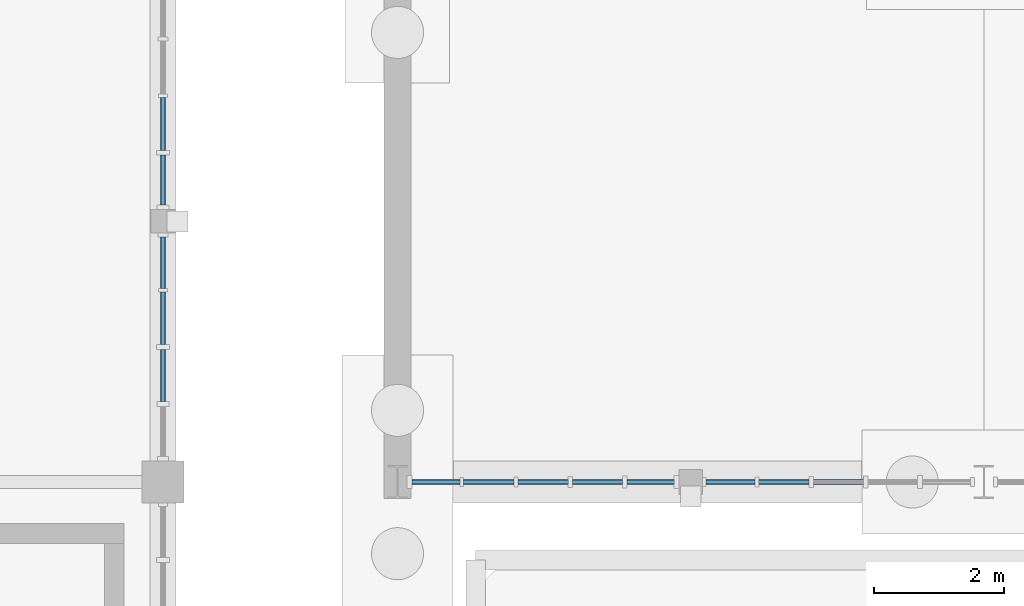
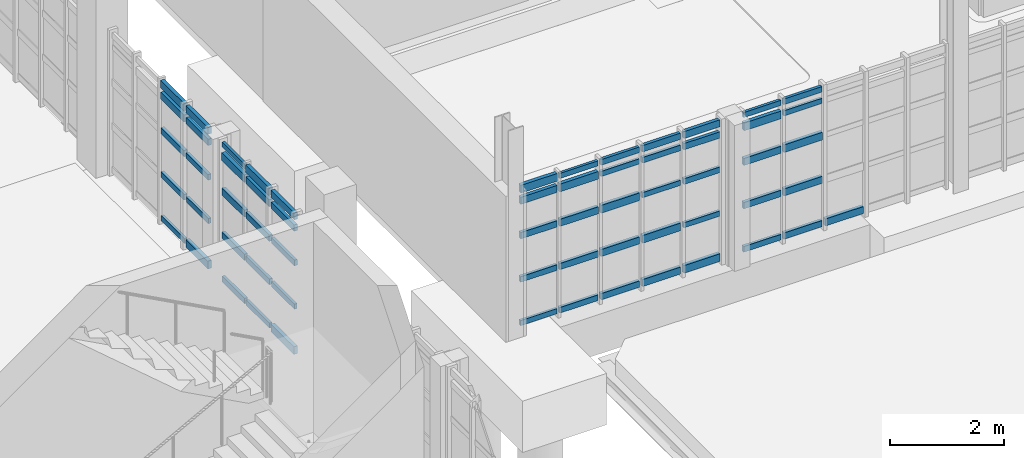
# One storey, part 61 of 125: 61 members, 4 elements without a shape of their own.
"""IFC4 building model written with IfcOpenShell, lengths in metres."""

from ifc_helpers import new_model, si_unit, direction, frame, origin, origin_2d, place, context, subcontext, project, spatial, rectangle, extrude, material, material_profile, profile_set, type_object, element, aggregate, save


model = new_model("IFC4")

# Units and contexts
model_context = context("Model", 3, precision=1e-05, world=origin(), true_north=direction((0.0, 1.0)))
body_context = subcontext(model_context, "Body", "Model", "MODEL_VIEW")
ifc_project = project(units=[si_unit("LENGTHUNIT", "METRE"), si_unit("AREAUNIT", "SQUARE_METRE"), si_unit("VOLUMEUNIT", "CUBIC_METRE"), si_unit("PLANEANGLEUNIT", "RADIAN"), si_unit("MASSUNIT", "GRAM", prefix="KILO")], contexts=[model_context])

# Site, building, storey
site_placement = place(None, origin())
site = spatial("IfcSite", under=ifc_project, at=site_placement, CompositionType="ELEMENT")
building_placement = place(site_placement, origin())
building = spatial("IfcBuilding", under=site, at=building_placement, Name="Serraforn Aerial Cableway Station", CompositionType="ELEMENT")
storey_placement = place(building_placement, frame((0.0, 0.0, 4.5)))
storey = spatial("IfcBuildingStorey", under=building, at=storey_placement, Name="L01", CompositionType="ELEMENT", Elevation=4.5)

# Curtain wall, members
ifc_material_1 = material(Name="Anodised bronze unitised curtain wall")
curtain_wall_type_1 = type_object("IfcCurtainWallType", Name="CW-SYS-3", PredefinedType="USERDEFINED", material=ifc_material_1)
curtain_wall_1_placement = place(storey_placement, origin())
curtain_wall_1 = element("IfcCurtainWall", 1, at=curtain_wall_1_placement, inside=storey, type_object=curtain_wall_type_1, Name="Unitised Curtain Wall CW-CV-L01-E2A", ObjectType="UNITISED CURTAIN WALL", PredefinedType="USERDEFINED")
ifc_material_2 = material(Name="Anodised bronze extruded aluminium", Category="aluminium")
ifc_material_profile_1 = material_profile(ifc_material_2, rectangle(XDim=0.054931640625, YDim=0.110107421875, at=origin_2d()), Name="CW TRANSOM 55x110")
ifc_profile_set_1 = profile_set([ifc_material_profile_1], Name="Anodised bronze extruded aluminium")
member_type_1 = type_object("IfcMemberType", Name="CW-TRN-1", PredefinedType="USERDEFINED", material=ifc_profile_set_1)
member_1_placement = place(storey_placement, frame((90.60009765625, 27.230224609375, 1.060791015625), z_axis=(0.0, 1.0, 0.0), x_axis=(-1.0, 0.0, 0.0)))
member_1 = element("IfcMember", 2, at=member_1_placement, type_object=member_type_1, Name="Curtain Wall Transom CW-CV-L01-E2A-T2-2", ObjectType="TRANSOM", PredefinedType="USERDEFINED", context=body_context, shape_type="SweptSolid", body=[
    extrude(rectangle(XDim=0.054931640625, YDim=0.110107421875, at=origin_2d()), origin(), (0.0, 0.0, 1.0), 0.8056640625),
])
member_2_placement = place(storey_placement, frame((90.60009765625, 28.10693359375, 0.124755859375), z_axis=(0.0, 1.0, 0.0), x_axis=(-1.0, 0.0, 0.0)))
member_2 = element("IfcMember", 3, at=member_2_placement, type_object=member_type_1, Name="Curtain Wall Transom CW-CV-L01-E2A-T3-1", ObjectType="TRANSOM", PredefinedType="USERDEFINED", context=body_context, shape_type="SweptSolid", body=[
    extrude(rectangle(XDim=0.054931640625, YDim=0.110107421875, at=origin_2d()), origin(), (0.0, 0.0, 1.0), 0.813232421875),
])
member_3_placement = place(storey_placement, frame((90.60009765625, 28.97119140625, 2.9951171875), z_axis=(0.0, 1.0, 0.0), x_axis=(-1.0, 0.0, 0.0)))
member_3 = element("IfcMember", 4, at=member_3_placement, type_object=member_type_1, Name="Curtain Wall Transom CW-CV-L01-E2A-T4-5", ObjectType="TRANSOM", PredefinedType="USERDEFINED", context=body_context, shape_type="SweptSolid", body=[
    extrude(rectangle(XDim=0.054931640625, YDim=0.110107421875, at=origin_2d()), origin(), (0.0, 0.0, 1.0), 0.790771484375),
])

curtain_wall_type_2 = type_object("IfcCurtainWallType", Name="CW-SYS-4", PredefinedType="USERDEFINED", material=ifc_material_1)
curtain_wall_2_placement = place(storey_placement, origin())
curtain_wall_2 = element("IfcCurtainWall", 5, at=curtain_wall_2_placement, inside=storey, type_object=curtain_wall_type_2, Name="Unitised Curtain Wall CW-CV-L01-E2B", ObjectType="UNITISED CURTAIN WALL", PredefinedType="USERDEFINED")
member_4_placement = place(storey_placement, frame((90.60009765625, 30.248046875, 1.060791015625), z_axis=(0.0, 1.0, 0.0), x_axis=(-1.0, 0.0, 0.0)))
member_4 = element("IfcMember", 6, at=member_4_placement, type_object=member_type_1, Name="Curtain Wall Transom CW-CV-L01-E2B-T1-2", ObjectType="TRANSOM", PredefinedType="USERDEFINED", context=body_context, shape_type="SweptSolid", body=[
    extrude(rectangle(XDim=0.054931640625, YDim=0.110107421875, at=origin_2d()), origin(), (0.0, 0.0, 1.0), 0.770751953125),
])
member_5_placement = place(storey_placement, frame((90.60009765625, 31.089599609375, 0.124755859375), z_axis=(0.0, 1.0, 0.0), x_axis=(-1.0, 0.0, 0.0)))
member_5 = element("IfcMember", 7, at=member_5_placement, type_object=member_type_1, Name="Curtain Wall Transom CW-CV-L01-E2B-T2-1", ObjectType="TRANSOM", PredefinedType="USERDEFINED", context=body_context, shape_type="SweptSolid", body=[
    extrude(rectangle(XDim=0.054931640625, YDim=0.110107421875, at=origin_2d()), origin(), (0.0, 0.0, 1.0), 0.8134765625),
])

curtain_wall_type_3 = type_object("IfcCurtainWallType", Name="CW-SYS-9", PredefinedType="USERDEFINED", material=ifc_material_1)
curtain_wall_3_placement = place(storey_placement, origin())
curtain_wall_3 = element("IfcCurtainWall", 8, at=curtain_wall_3_placement, inside=storey, type_object=curtain_wall_type_3, Name="Unitised Curtain Wall CW-EL-L01-S1A", ObjectType="UNITISED CURTAIN WALL", PredefinedType="USERDEFINED")
member_6_placement = place(storey_placement, frame((94.4208984375, 26.0, 0.124755859375), z_axis=(1.0, 0.0, 0.0), x_axis=(0.0, 1.0, 0.0)))
member_6 = element("IfcMember", 9, at=member_6_placement, type_object=member_type_1, Name="Curtain Wall Transom CW-EL-L01-S1A-T1-1", ObjectType="TRANSOM", PredefinedType="USERDEFINED", context=body_context, shape_type="SweptSolid", body=[
    extrude(rectangle(XDim=0.054931640625, YDim=0.110107421875, at=origin_2d()), origin(), (0.0, 0.0, 1.0), 0.736083984375),
])
member_7_placement = place(storey_placement, frame((95.2080078125, 26.0, 2.9951171875), z_axis=(1.0, 0.0, 0.0), x_axis=(0.0, 1.0, 0.0)))
member_7 = element("IfcMember", 10, at=member_7_placement, type_object=member_type_1, Name="Curtain Wall Transom CW-EL-L01-S1A-T2-5", ObjectType="TRANSOM", PredefinedType="USERDEFINED", context=body_context, shape_type="SweptSolid", body=[
    extrude(rectangle(XDim=0.054931640625, YDim=0.110107421875, at=origin_2d()), origin(), (0.0, 0.0, 1.0), 0.78076171875),
])
member_8_placement = place(storey_placement, frame((96.044921875, 26.0, 2.74560546875), z_axis=(1.0, 0.0, 0.0), x_axis=(0.0, 1.0, 0.0)))
member_8 = element("IfcMember", 11, at=member_8_placement, type_object=member_type_1, Name="Curtain Wall Transom CW-EL-L01-S1A-T3-4", ObjectType="TRANSOM", PredefinedType="USERDEFINED", context=body_context, shape_type="SweptSolid", body=[
    extrude(rectangle(XDim=0.054931640625, YDim=0.110107421875, at=origin_2d()), origin(), (0.0, 0.0, 1.0), 0.77587890625),
])
member_9_placement = place(storey_placement, frame((96.881591796875, 26.0, 1.996826171875), z_axis=(1.0, 0.0, 0.0), x_axis=(0.0, 1.0, 0.0)))
member_9 = element("IfcMember", 12, at=member_9_placement, type_object=member_type_1, Name="Curtain Wall Transom CW-EL-L01-S1A-T4-3", ObjectType="TRANSOM", PredefinedType="USERDEFINED", context=body_context, shape_type="SweptSolid", body=[
    extrude(rectangle(XDim=0.054931640625, YDim=0.110107421875, at=origin_2d()), origin(), (0.0, 0.0, 1.0), 0.77099609375),
])
member_10_placement = place(storey_placement, frame((97.718505859375, 26.0, 1.060791015625), z_axis=(1.0, 0.0, 0.0), x_axis=(0.0, 1.0, 0.0)))
member_10 = element("IfcMember", 13, at=member_10_placement, type_object=member_type_1, Name="Curtain Wall Transom CW-EL-L01-S1A-T5-2", ObjectType="TRANSOM", PredefinedType="USERDEFINED", context=body_context, shape_type="SweptSolid", body=[
    extrude(rectangle(XDim=0.054931640625, YDim=0.110107421875, at=origin_2d()), origin(), (0.0, 0.0, 1.0), 0.728515625),
])

curtain_wall_type_4 = type_object("IfcCurtainWallType", Name="CW-SYS-10", PredefinedType="USERDEFINED", material=ifc_material_1)
curtain_wall_4_placement = place(storey_placement, origin())
curtain_wall_4 = element("IfcCurtainWall", 14, at=curtain_wall_4_placement, inside=storey, type_object=curtain_wall_type_4, Name="Unitised Curtain Wall CW-EL-L01-S1B", ObjectType="UNITISED CURTAIN WALL", PredefinedType="USERDEFINED")
member_11_placement = place(storey_placement, frame((98.93310546875, 26.0, 2.9951171875), z_axis=(1.0, 0.0, 0.0), x_axis=(0.0, 1.0, 0.0)))
member_11 = element("IfcMember", 15, at=member_11_placement, type_object=member_type_1, Name="Curtain Wall Transom CW-EL-L01-S1B-T1-5", ObjectType="TRANSOM", PredefinedType="USERDEFINED", context=body_context, shape_type="SweptSolid", body=[
    extrude(rectangle(XDim=0.054931640625, YDim=0.110107421875, at=origin_2d()), origin(), (0.0, 0.0, 1.0), 0.753173828125),
])
member_12_placement = place(storey_placement, frame((99.742431640625, 26.0, 2.74560546875), z_axis=(1.0, 0.0, 0.0), x_axis=(0.0, 1.0, 0.0)))
member_12 = element("IfcMember", 16, at=member_12_placement, type_object=member_type_1, Name="Curtain Wall Transom CW-EL-L01-S1B-T2-4", ObjectType="TRANSOM", PredefinedType="USERDEFINED", context=body_context, shape_type="SweptSolid", body=[
    extrude(rectangle(XDim=0.054931640625, YDim=0.110107421875, at=origin_2d()), origin(), (0.0, 0.0, 1.0), 0.77587890625),
])

# Member
ifc_material_profile_2 = material_profile(ifc_material_2, rectangle(XDim=0.06005859375, YDim=0.1201171875, at=origin_2d()), Name="CW TRANSOM 60x120")
ifc_profile_set_2 = profile_set([ifc_material_profile_2], Name="Anodised bronze extruded aluminium")
member_type_2 = type_object("IfcMemberType", Name="CW-TRN-2", PredefinedType="USERDEFINED", material=ifc_profile_set_2)
member_13_placement = place(storey_placement, frame((90.60009765625, 27.230224609375, 1.996826171875), z_axis=(0.0, 1.0, 0.0), x_axis=(-1.0, 0.0, 0.0)))
member_13 = element("IfcMember", 17, at=member_13_placement, type_object=member_type_2, Name="Curtain Wall Transom CW-CV-L01-E2A-T2-3", ObjectType="TRANSOM", PredefinedType="USERDEFINED", context=body_context, shape_type="SweptSolid", body=[
    extrude(rectangle(XDim=0.06005859375, YDim=0.1201171875, at=origin_2d()), origin(), (0.0, 0.0, 1.0), 0.8056640625),
])

member_14_placement = place(storey_placement, frame((90.60009765625, 28.10693359375, 1.060791015625), z_axis=(0.0, 1.0, 0.0), x_axis=(-1.0, 0.0, 0.0)))
member_14 = element("IfcMember", 18, at=member_14_placement, type_object=member_type_2, Name="Curtain Wall Transom CW-CV-L01-E2A-T3-2", ObjectType="TRANSOM", PredefinedType="USERDEFINED", context=body_context, shape_type="SweptSolid", body=[
    extrude(rectangle(XDim=0.06005859375, YDim=0.1201171875, at=origin_2d()), origin(), (0.0, 0.0, 1.0), 0.813232421875),
])

member_15_placement = place(storey_placement, frame((90.60009765625, 28.97119140625, 0.124755859375), z_axis=(0.0, 1.0, 0.0), x_axis=(-1.0, 0.0, 0.0)))
member_15 = element("IfcMember", 19, at=member_15_placement, type_object=member_type_2, Name="Curtain Wall Transom CW-CV-L01-E2A-T4-1", ObjectType="TRANSOM", PredefinedType="USERDEFINED", context=body_context, shape_type="SweptSolid", body=[
    extrude(rectangle(XDim=0.06005859375, YDim=0.1201171875, at=origin_2d()), origin(), (0.0, 0.0, 1.0), 0.790771484375),
])

member_16_placement = place(storey_placement, frame((90.60009765625, 30.248046875, 1.996826171875), z_axis=(0.0, 1.0, 0.0), x_axis=(-1.0, 0.0, 0.0)))
member_16 = element("IfcMember", 20, at=member_16_placement, type_object=member_type_2, Name="Curtain Wall Transom CW-CV-L01-E2B-T1-3", ObjectType="TRANSOM", PredefinedType="USERDEFINED", context=body_context, shape_type="SweptSolid", body=[
    extrude(rectangle(XDim=0.06005859375, YDim=0.1201171875, at=origin_2d()), origin(), (0.0, 0.0, 1.0), 0.770751953125),
])

member_17_placement = place(storey_placement, frame((90.60009765625, 31.089599609375, 1.060791015625), z_axis=(0.0, 1.0, 0.0), x_axis=(-1.0, 0.0, 0.0)))
member_17 = element("IfcMember", 21, at=member_17_placement, type_object=member_type_2, Name="Curtain Wall Transom CW-CV-L01-E2B-T2-2", ObjectType="TRANSOM", PredefinedType="USERDEFINED", context=body_context, shape_type="SweptSolid", body=[
    extrude(rectangle(XDim=0.06005859375, YDim=0.1201171875, at=origin_2d()), origin(), (0.0, 0.0, 1.0), 0.8134765625),
])

member_18_placement = place(storey_placement, frame((94.4208984375, 26.0, 1.060791015625), z_axis=(1.0, 0.0, 0.0), x_axis=(0.0, 1.0, 0.0)))
member_18 = element("IfcMember", 22, at=member_18_placement, type_object=member_type_2, Name="Curtain Wall Transom CW-EL-L01-S1A-T1-2", ObjectType="TRANSOM", PredefinedType="USERDEFINED", context=body_context, shape_type="SweptSolid", body=[
    extrude(rectangle(XDim=0.06005859375, YDim=0.1201171875, at=origin_2d()), origin(), (0.0, 0.0, 1.0), 0.736083984375),
])

member_19_placement = place(storey_placement, frame((95.2080078125, 26.0, 0.124755859375), z_axis=(1.0, 0.0, 0.0), x_axis=(0.0, 1.0, 0.0)))
member_19 = element("IfcMember", 23, at=member_19_placement, type_object=member_type_2, Name="Curtain Wall Transom CW-EL-L01-S1A-T2-1", ObjectType="TRANSOM", PredefinedType="USERDEFINED", context=body_context, shape_type="SweptSolid", body=[
    extrude(rectangle(XDim=0.06005859375, YDim=0.1201171875, at=origin_2d()), origin(), (0.0, 0.0, 1.0), 0.78076171875),
])

member_20_placement = place(storey_placement, frame((96.044921875, 26.0, 2.9951171875), z_axis=(1.0, 0.0, 0.0), x_axis=(0.0, 1.0, 0.0)))
member_20 = element("IfcMember", 24, at=member_20_placement, type_object=member_type_2, Name="Curtain Wall Transom CW-EL-L01-S1A-T3-5", ObjectType="TRANSOM", PredefinedType="USERDEFINED", context=body_context, shape_type="SweptSolid", body=[
    extrude(rectangle(XDim=0.06005859375, YDim=0.1201171875, at=origin_2d()), origin(), (0.0, 0.0, 1.0), 0.77587890625),
])

member_21_placement = place(storey_placement, frame((96.881591796875, 26.0, 2.74560546875), z_axis=(1.0, 0.0, 0.0), x_axis=(0.0, 1.0, 0.0)))
member_21 = element("IfcMember", 25, at=member_21_placement, type_object=member_type_2, Name="Curtain Wall Transom CW-EL-L01-S1A-T4-4", ObjectType="TRANSOM", PredefinedType="USERDEFINED", context=body_context, shape_type="SweptSolid", body=[
    extrude(rectangle(XDim=0.06005859375, YDim=0.1201171875, at=origin_2d()), origin(), (0.0, 0.0, 1.0), 0.77099609375),
])

member_22_placement = place(storey_placement, frame((97.718505859375, 26.0, 1.996826171875), z_axis=(1.0, 0.0, 0.0), x_axis=(0.0, 1.0, 0.0)))
member_22 = element("IfcMember", 26, at=member_22_placement, type_object=member_type_2, Name="Curtain Wall Transom CW-EL-L01-S1A-T5-3", ObjectType="TRANSOM", PredefinedType="USERDEFINED", context=body_context, shape_type="SweptSolid", body=[
    extrude(rectangle(XDim=0.06005859375, YDim=0.1201171875, at=origin_2d()), origin(), (0.0, 0.0, 1.0), 0.728515625),
])

member_23_placement = place(storey_placement, frame((98.93310546875, 26.0, 0.124755859375), z_axis=(1.0, 0.0, 0.0), x_axis=(0.0, 1.0, 0.0)))
member_23 = element("IfcMember", 27, at=member_23_placement, type_object=member_type_2, Name="Curtain Wall Transom CW-EL-L01-S1B-T1-1", ObjectType="TRANSOM", PredefinedType="USERDEFINED", context=body_context, shape_type="SweptSolid", body=[
    extrude(rectangle(XDim=0.06005859375, YDim=0.1201171875, at=origin_2d()), origin(), (0.0, 0.0, 1.0), 0.753173828125),
])

member_24_placement = place(storey_placement, frame((99.742431640625, 26.0, 2.9951171875), z_axis=(1.0, 0.0, 0.0), x_axis=(0.0, 1.0, 0.0)))
member_24 = element("IfcMember", 28, at=member_24_placement, type_object=member_type_2, Name="Curtain Wall Transom CW-EL-L01-S1B-T2-5", ObjectType="TRANSOM", PredefinedType="USERDEFINED", context=body_context, shape_type="SweptSolid", body=[
    extrude(rectangle(XDim=0.06005859375, YDim=0.1201171875, at=origin_2d()), origin(), (0.0, 0.0, 1.0), 0.77587890625),
])

ifc_material_profile_3 = material_profile(ifc_material_2, rectangle(XDim=0.06494140625, YDim=0.135009765625, at=origin_2d()), Name="CW TRANSOM 65x135")
ifc_profile_set_3 = profile_set([ifc_material_profile_3], Name="Anodised bronze extruded aluminium")
member_type_3 = type_object("IfcMemberType", Name="CW-TRN-3", PredefinedType="USERDEFINED", material=ifc_profile_set_3)
member_25_placement = place(storey_placement, frame((90.60009765625, 27.230224609375, 2.74560546875), z_axis=(0.0, 1.0, 0.0), x_axis=(-1.0, 0.0, 0.0)))
member_25 = element("IfcMember", 29, at=member_25_placement, type_object=member_type_3, Name="Curtain Wall Transom CW-CV-L01-E2A-T2-4", ObjectType="TRANSOM", PredefinedType="USERDEFINED", context=body_context, shape_type="SweptSolid", body=[
    extrude(rectangle(XDim=0.06494140625, YDim=0.135009765625, at=origin_2d()), origin(), (0.0, 0.0, 1.0), 0.8056640625),
])

member_26_placement = place(storey_placement, frame((90.60009765625, 28.10693359375, 1.996826171875), z_axis=(0.0, 1.0, 0.0), x_axis=(-1.0, 0.0, 0.0)))
member_26 = element("IfcMember", 30, at=member_26_placement, type_object=member_type_3, Name="Curtain Wall Transom CW-CV-L01-E2A-T3-3", ObjectType="TRANSOM", PredefinedType="USERDEFINED", context=body_context, shape_type="SweptSolid", body=[
    extrude(rectangle(XDim=0.06494140625, YDim=0.135009765625, at=origin_2d()), origin(), (0.0, 0.0, 1.0), 0.813232421875),
])

member_27_placement = place(storey_placement, frame((90.60009765625, 28.97119140625, 1.060791015625), z_axis=(0.0, 1.0, 0.0), x_axis=(-1.0, 0.0, 0.0)))
member_27 = element("IfcMember", 31, at=member_27_placement, type_object=member_type_3, Name="Curtain Wall Transom CW-CV-L01-E2A-T4-2", ObjectType="TRANSOM", PredefinedType="USERDEFINED", context=body_context, shape_type="SweptSolid", body=[
    extrude(rectangle(XDim=0.06494140625, YDim=0.135009765625, at=origin_2d()), origin(), (0.0, 0.0, 1.0), 0.790771484375),
])

member_28_placement = place(storey_placement, frame((90.60009765625, 30.248046875, 2.74560546875), z_axis=(0.0, 1.0, 0.0), x_axis=(-1.0, 0.0, 0.0)))
member_28 = element("IfcMember", 32, at=member_28_placement, type_object=member_type_3, Name="Curtain Wall Transom CW-CV-L01-E2B-T1-4", ObjectType="TRANSOM", PredefinedType="USERDEFINED", context=body_context, shape_type="SweptSolid", body=[
    extrude(rectangle(XDim=0.06494140625, YDim=0.135009765625, at=origin_2d()), origin(), (0.0, 0.0, 1.0), 0.770751953125),
])

member_29_placement = place(storey_placement, frame((90.60009765625, 31.089599609375, 1.996826171875), z_axis=(0.0, 1.0, 0.0), x_axis=(-1.0, 0.0, 0.0)))
member_29 = element("IfcMember", 33, at=member_29_placement, type_object=member_type_3, Name="Curtain Wall Transom CW-CV-L01-E2B-T2-3", ObjectType="TRANSOM", PredefinedType="USERDEFINED", context=body_context, shape_type="SweptSolid", body=[
    extrude(rectangle(XDim=0.06494140625, YDim=0.135009765625, at=origin_2d()), origin(), (0.0, 0.0, 1.0), 0.8134765625),
])

member_30_placement = place(storey_placement, frame((94.4208984375, 26.0, 1.996826171875), z_axis=(1.0, 0.0, 0.0), x_axis=(0.0, 1.0, 0.0)))
member_30 = element("IfcMember", 34, at=member_30_placement, type_object=member_type_3, Name="Curtain Wall Transom CW-EL-L01-S1A-T1-3", ObjectType="TRANSOM", PredefinedType="USERDEFINED", context=body_context, shape_type="SweptSolid", body=[
    extrude(rectangle(XDim=0.06494140625, YDim=0.135009765625, at=origin_2d()), origin(), (0.0, 0.0, 1.0), 0.736083984375),
])

member_31_placement = place(storey_placement, frame((95.2080078125, 26.0, 1.060791015625), z_axis=(1.0, 0.0, 0.0), x_axis=(0.0, 1.0, 0.0)))
member_31 = element("IfcMember", 35, at=member_31_placement, type_object=member_type_3, Name="Curtain Wall Transom CW-EL-L01-S1A-T2-2", ObjectType="TRANSOM", PredefinedType="USERDEFINED", context=body_context, shape_type="SweptSolid", body=[
    extrude(rectangle(XDim=0.06494140625, YDim=0.135009765625, at=origin_2d()), origin(), (0.0, 0.0, 1.0), 0.78076171875),
])

member_32_placement = place(storey_placement, frame((96.044921875, 26.0, 0.124755859375), z_axis=(1.0, 0.0, 0.0), x_axis=(0.0, 1.0, 0.0)))
member_32 = element("IfcMember", 36, at=member_32_placement, type_object=member_type_3, Name="Curtain Wall Transom CW-EL-L01-S1A-T3-1", ObjectType="TRANSOM", PredefinedType="USERDEFINED", context=body_context, shape_type="SweptSolid", body=[
    extrude(rectangle(XDim=0.06494140625, YDim=0.135009765625, at=origin_2d()), origin(), (0.0, 0.0, 1.0), 0.77587890625),
])

member_33_placement = place(storey_placement, frame((96.881591796875, 26.0, 2.9951171875), z_axis=(1.0, 0.0, 0.0), x_axis=(0.0, 1.0, 0.0)))
member_33 = element("IfcMember", 37, at=member_33_placement, type_object=member_type_3, Name="Curtain Wall Transom CW-EL-L01-S1A-T4-5", ObjectType="TRANSOM", PredefinedType="USERDEFINED", context=body_context, shape_type="SweptSolid", body=[
    extrude(rectangle(XDim=0.06494140625, YDim=0.135009765625, at=origin_2d()), origin(), (0.0, 0.0, 1.0), 0.77099609375),
])

member_34_placement = place(storey_placement, frame((97.718505859375, 26.0, 2.74560546875), z_axis=(1.0, 0.0, 0.0), x_axis=(0.0, 1.0, 0.0)))
member_34 = element("IfcMember", 38, at=member_34_placement, type_object=member_type_3, Name="Curtain Wall Transom CW-EL-L01-S1A-T5-4", ObjectType="TRANSOM", PredefinedType="USERDEFINED", context=body_context, shape_type="SweptSolid", body=[
    extrude(rectangle(XDim=0.06494140625, YDim=0.135009765625, at=origin_2d()), origin(), (0.0, 0.0, 1.0), 0.728515625),
])

member_35_placement = place(storey_placement, frame((98.93310546875, 26.0, 1.060791015625), z_axis=(1.0, 0.0, 0.0), x_axis=(0.0, 1.0, 0.0)))
member_35 = element("IfcMember", 39, at=member_35_placement, type_object=member_type_3, Name="Curtain Wall Transom CW-EL-L01-S1B-T1-2", ObjectType="TRANSOM", PredefinedType="USERDEFINED", context=body_context, shape_type="SweptSolid", body=[
    extrude(rectangle(XDim=0.06494140625, YDim=0.135009765625, at=origin_2d()), origin(), (0.0, 0.0, 1.0), 0.753173828125),
])

member_36_placement = place(storey_placement, frame((99.742431640625, 26.0, 0.124755859375), z_axis=(1.0, 0.0, 0.0), x_axis=(0.0, 1.0, 0.0)))
member_36 = element("IfcMember", 40, at=member_36_placement, type_object=member_type_3, Name="Curtain Wall Transom CW-EL-L01-S1B-T2-1", ObjectType="TRANSOM", PredefinedType="USERDEFINED", context=body_context, shape_type="SweptSolid", body=[
    extrude(rectangle(XDim=0.06494140625, YDim=0.135009765625, at=origin_2d()), origin(), (0.0, 0.0, 1.0), 0.77587890625),
])

ifc_material_profile_4 = material_profile(ifc_material_2, rectangle(XDim=0.070068359375, YDim=0.14990234375, at=origin_2d()), Name="CW TRANSOM 70x150")
ifc_profile_set_4 = profile_set([ifc_material_profile_4], Name="Anodised bronze extruded aluminium")
member_type_4 = type_object("IfcMemberType", Name="CW-TRN-4", PredefinedType="USERDEFINED", material=ifc_profile_set_4)
member_37_placement = place(storey_placement, frame((90.60009765625, 27.230224609375, 2.9951171875), z_axis=(0.0, 1.0, 0.0), x_axis=(-1.0, 0.0, 0.0)))
member_37 = element("IfcMember", 41, at=member_37_placement, type_object=member_type_4, Name="Curtain Wall Transom CW-CV-L01-E2A-T2-5", ObjectType="TRANSOM", PredefinedType="USERDEFINED", context=body_context, shape_type="SweptSolid", body=[
    extrude(rectangle(XDim=0.070068359375, YDim=0.14990234375, at=origin_2d()), origin(), (0.0, 0.0, 1.0), 0.8056640625),
])

member_38_placement = place(storey_placement, frame((90.60009765625, 28.10693359375, 2.74560546875), z_axis=(0.0, 1.0, 0.0), x_axis=(-1.0, 0.0, 0.0)))
member_38 = element("IfcMember", 42, at=member_38_placement, type_object=member_type_4, Name="Curtain Wall Transom CW-CV-L01-E2A-T3-4", ObjectType="TRANSOM", PredefinedType="USERDEFINED", context=body_context, shape_type="SweptSolid", body=[
    extrude(rectangle(XDim=0.070068359375, YDim=0.14990234375, at=origin_2d()), origin(), (0.0, 0.0, 1.0), 0.813232421875),
])

member_39_placement = place(storey_placement, frame((90.60009765625, 28.97119140625, 1.996826171875), z_axis=(0.0, 1.0, 0.0), x_axis=(-1.0, 0.0, 0.0)))
member_39 = element("IfcMember", 43, at=member_39_placement, type_object=member_type_4, Name="Curtain Wall Transom CW-CV-L01-E2A-T4-3", ObjectType="TRANSOM", PredefinedType="USERDEFINED", context=body_context, shape_type="SweptSolid", body=[
    extrude(rectangle(XDim=0.070068359375, YDim=0.14990234375, at=origin_2d()), origin(), (0.0, 0.0, 1.0), 0.790771484375),
])

member_40_placement = place(storey_placement, frame((90.60009765625, 30.248046875, 2.9951171875), z_axis=(0.0, 1.0, 0.0), x_axis=(-1.0, 0.0, 0.0)))
member_40 = element("IfcMember", 44, at=member_40_placement, type_object=member_type_4, Name="Curtain Wall Transom CW-CV-L01-E2B-T1-5", ObjectType="TRANSOM", PredefinedType="USERDEFINED", context=body_context, shape_type="SweptSolid", body=[
    extrude(rectangle(XDim=0.070068359375, YDim=0.14990234375, at=origin_2d()), origin(), (0.0, 0.0, 1.0), 0.770751953125),
])

member_41_placement = place(storey_placement, frame((90.60009765625, 31.089599609375, 2.74560546875), z_axis=(0.0, 1.0, 0.0), x_axis=(-1.0, 0.0, 0.0)))
member_41 = element("IfcMember", 45, at=member_41_placement, type_object=member_type_4, Name="Curtain Wall Transom CW-CV-L01-E2B-T2-4", ObjectType="TRANSOM", PredefinedType="USERDEFINED", context=body_context, shape_type="SweptSolid", body=[
    extrude(rectangle(XDim=0.070068359375, YDim=0.14990234375, at=origin_2d()), origin(), (0.0, 0.0, 1.0), 0.8134765625),
])

member_42_placement = place(storey_placement, frame((94.4208984375, 26.0, 2.74560546875), z_axis=(1.0, 0.0, 0.0), x_axis=(0.0, 1.0, 0.0)))
member_42 = element("IfcMember", 46, at=member_42_placement, type_object=member_type_4, Name="Curtain Wall Transom CW-EL-L01-S1A-T1-4", ObjectType="TRANSOM", PredefinedType="USERDEFINED", context=body_context, shape_type="SweptSolid", body=[
    extrude(rectangle(XDim=0.070068359375, YDim=0.14990234375, at=origin_2d()), origin(), (0.0, 0.0, 1.0), 0.736083984375),
])

member_43_placement = place(storey_placement, frame((95.2080078125, 26.0, 1.996826171875), z_axis=(1.0, 0.0, 0.0), x_axis=(0.0, 1.0, 0.0)))
member_43 = element("IfcMember", 47, at=member_43_placement, type_object=member_type_4, Name="Curtain Wall Transom CW-EL-L01-S1A-T2-3", ObjectType="TRANSOM", PredefinedType="USERDEFINED", context=body_context, shape_type="SweptSolid", body=[
    extrude(rectangle(XDim=0.070068359375, YDim=0.14990234375, at=origin_2d()), origin(), (0.0, 0.0, 1.0), 0.78076171875),
])

member_44_placement = place(storey_placement, frame((96.044921875, 26.0, 1.060791015625), z_axis=(1.0, 0.0, 0.0), x_axis=(0.0, 1.0, 0.0)))
member_44 = element("IfcMember", 48, at=member_44_placement, type_object=member_type_4, Name="Curtain Wall Transom CW-EL-L01-S1A-T3-2", ObjectType="TRANSOM", PredefinedType="USERDEFINED", context=body_context, shape_type="SweptSolid", body=[
    extrude(rectangle(XDim=0.070068359375, YDim=0.14990234375, at=origin_2d()), origin(), (0.0, 0.0, 1.0), 0.77587890625),
])

member_45_placement = place(storey_placement, frame((96.881591796875, 26.0, 0.124755859375), z_axis=(1.0, 0.0, 0.0), x_axis=(0.0, 1.0, 0.0)))
member_45 = element("IfcMember", 49, at=member_45_placement, type_object=member_type_4, Name="Curtain Wall Transom CW-EL-L01-S1A-T4-1", ObjectType="TRANSOM", PredefinedType="USERDEFINED", context=body_context, shape_type="SweptSolid", body=[
    extrude(rectangle(XDim=0.070068359375, YDim=0.14990234375, at=origin_2d()), origin(), (0.0, 0.0, 1.0), 0.77099609375),
])

member_46_placement = place(storey_placement, frame((97.718505859375, 26.0, 2.9951171875), z_axis=(1.0, 0.0, 0.0), x_axis=(0.0, 1.0, 0.0)))
member_46 = element("IfcMember", 50, at=member_46_placement, type_object=member_type_4, Name="Curtain Wall Transom CW-EL-L01-S1A-T5-5", ObjectType="TRANSOM", PredefinedType="USERDEFINED", context=body_context, shape_type="SweptSolid", body=[
    extrude(rectangle(XDim=0.070068359375, YDim=0.14990234375, at=origin_2d()), origin(), (0.0, 0.0, 1.0), 0.728515625),
])

member_47_placement = place(storey_placement, frame((98.93310546875, 26.0, 1.996826171875), z_axis=(1.0, 0.0, 0.0), x_axis=(0.0, 1.0, 0.0)))
member_47 = element("IfcMember", 51, at=member_47_placement, type_object=member_type_4, Name="Curtain Wall Transom CW-EL-L01-S1B-T1-3", ObjectType="TRANSOM", PredefinedType="USERDEFINED", context=body_context, shape_type="SweptSolid", body=[
    extrude(rectangle(XDim=0.070068359375, YDim=0.14990234375, at=origin_2d()), origin(), (0.0, 0.0, 1.0), 0.753173828125),
])

member_48_placement = place(storey_placement, frame((99.742431640625, 26.0, 1.060791015625), z_axis=(1.0, 0.0, 0.0), x_axis=(0.0, 1.0, 0.0)))
member_48 = element("IfcMember", 52, at=member_48_placement, type_object=member_type_4, Name="Curtain Wall Transom CW-EL-L01-S1B-T2-2", ObjectType="TRANSOM", PredefinedType="USERDEFINED", context=body_context, shape_type="SweptSolid", body=[
    extrude(rectangle(XDim=0.070068359375, YDim=0.14990234375, at=origin_2d()), origin(), (0.0, 0.0, 1.0), 0.77587890625),
])

member_49_placement = place(storey_placement, frame((100.579345703125, 26.0, 0.124755859375), z_axis=(1.0, 0.0, 0.0), x_axis=(0.0, 1.0, 0.0)))
member_49 = element("IfcMember", 53, at=member_49_placement, type_object=member_type_4, Name="Curtain Wall Transom CW-EL-L01-S1B-T3-1", ObjectType="TRANSOM", PredefinedType="USERDEFINED", context=body_context, shape_type="SweptSolid", body=[
    extrude(rectangle(XDim=0.070068359375, YDim=0.14990234375, at=origin_2d()), origin(), (0.0, 0.0, 1.0), 0.770751953125),
])

ifc_material_profile_5 = material_profile(ifc_material_2, rectangle(XDim=0.074951171875, YDim=0.1650390625, at=origin_2d()), Name="CW TRANSOM 75x165")
ifc_profile_set_5 = profile_set([ifc_material_profile_5], Name="Anodised bronze extruded aluminium")
member_type_5 = type_object("IfcMemberType", Name="CW-TRN-5", PredefinedType="USERDEFINED", material=ifc_profile_set_5)
member_50_placement = place(storey_placement, frame((90.60009765625, 27.230224609375, 0.124755859375), z_axis=(0.0, 1.0, 0.0), x_axis=(-1.0, 0.0, 0.0)))
member_50 = element("IfcMember", 54, at=member_50_placement, type_object=member_type_5, Name="Curtain Wall Transom CW-CV-L01-E2A-T2-1", ObjectType="TRANSOM", PredefinedType="USERDEFINED", context=body_context, shape_type="SweptSolid", body=[
    extrude(rectangle(XDim=0.074951171875, YDim=0.1650390625, at=origin_2d()), origin(), (0.0, 0.0, 1.0), 0.8056640625),
])

member_51_placement = place(storey_placement, frame((90.60009765625, 28.10693359375, 2.9951171875), z_axis=(0.0, 1.0, 0.0), x_axis=(-1.0, 0.0, 0.0)))
member_51 = element("IfcMember", 55, at=member_51_placement, type_object=member_type_5, Name="Curtain Wall Transom CW-CV-L01-E2A-T3-5", ObjectType="TRANSOM", PredefinedType="USERDEFINED", context=body_context, shape_type="SweptSolid", body=[
    extrude(rectangle(XDim=0.074951171875, YDim=0.1650390625, at=origin_2d()), origin(), (0.0, 0.0, 1.0), 0.813232421875),
])

member_52_placement = place(storey_placement, frame((90.60009765625, 28.97119140625, 2.74560546875), z_axis=(0.0, 1.0, 0.0), x_axis=(-1.0, 0.0, 0.0)))
member_52 = element("IfcMember", 56, at=member_52_placement, type_object=member_type_5, Name="Curtain Wall Transom CW-CV-L01-E2A-T4-4", ObjectType="TRANSOM", PredefinedType="USERDEFINED", context=body_context, shape_type="SweptSolid", body=[
    extrude(rectangle(XDim=0.074951171875, YDim=0.1650390625, at=origin_2d()), origin(), (0.0, 0.0, 1.0), 0.790771484375),
])

aggregate(curtain_wall_1, [member_50, member_1, member_13, member_25, member_37, member_2, member_14, member_26, member_38, member_51, member_15, member_27, member_39, member_52, member_3])

member_53_placement = place(storey_placement, frame((90.60009765625, 30.248046875, 0.124755859375), z_axis=(0.0, 1.0, 0.0), x_axis=(-1.0, 0.0, 0.0)))
member_53 = element("IfcMember", 57, at=member_53_placement, type_object=member_type_5, Name="Curtain Wall Transom CW-CV-L01-E2B-T1-1", ObjectType="TRANSOM", PredefinedType="USERDEFINED", context=body_context, shape_type="SweptSolid", body=[
    extrude(rectangle(XDim=0.074951171875, YDim=0.1650390625, at=origin_2d()), origin(), (0.0, 0.0, 1.0), 0.770751953125),
])

member_54_placement = place(storey_placement, frame((90.60009765625, 31.089599609375, 2.9951171875), z_axis=(0.0, 1.0, 0.0), x_axis=(-1.0, 0.0, 0.0)))
member_54 = element("IfcMember", 58, at=member_54_placement, type_object=member_type_5, Name="Curtain Wall Transom CW-CV-L01-E2B-T2-5", ObjectType="TRANSOM", PredefinedType="USERDEFINED", context=body_context, shape_type="SweptSolid", body=[
    extrude(rectangle(XDim=0.074951171875, YDim=0.1650390625, at=origin_2d()), origin(), (0.0, 0.0, 1.0), 0.8134765625),
])

aggregate(curtain_wall_2, [member_53, member_4, member_16, member_28, member_40, member_5, member_17, member_29, member_41, member_54])

member_55_placement = place(storey_placement, frame((94.4208984375, 26.0, 2.9951171875), z_axis=(1.0, 0.0, 0.0), x_axis=(0.0, 1.0, 0.0)))
member_55 = element("IfcMember", 59, at=member_55_placement, type_object=member_type_5, Name="Curtain Wall Transom CW-EL-L01-S1A-T1-5", ObjectType="TRANSOM", PredefinedType="USERDEFINED", context=body_context, shape_type="SweptSolid", body=[
    extrude(rectangle(XDim=0.074951171875, YDim=0.1650390625, at=origin_2d()), origin(), (0.0, 0.0, 1.0), 0.736083984375),
])

member_56_placement = place(storey_placement, frame((95.2080078125, 26.0, 2.74560546875), z_axis=(1.0, 0.0, 0.0), x_axis=(0.0, 1.0, 0.0)))
member_56 = element("IfcMember", 60, at=member_56_placement, type_object=member_type_5, Name="Curtain Wall Transom CW-EL-L01-S1A-T2-4", ObjectType="TRANSOM", PredefinedType="USERDEFINED", context=body_context, shape_type="SweptSolid", body=[
    extrude(rectangle(XDim=0.074951171875, YDim=0.1650390625, at=origin_2d()), origin(), (0.0, 0.0, 1.0), 0.78076171875),
])

member_57_placement = place(storey_placement, frame((96.044921875, 26.0, 1.996826171875), z_axis=(1.0, 0.0, 0.0), x_axis=(0.0, 1.0, 0.0)))
member_57 = element("IfcMember", 61, at=member_57_placement, type_object=member_type_5, Name="Curtain Wall Transom CW-EL-L01-S1A-T3-3", ObjectType="TRANSOM", PredefinedType="USERDEFINED", context=body_context, shape_type="SweptSolid", body=[
    extrude(rectangle(XDim=0.074951171875, YDim=0.1650390625, at=origin_2d()), origin(), (0.0, 0.0, 1.0), 0.77587890625),
])

member_58_placement = place(storey_placement, frame((96.881591796875, 26.0, 1.060791015625), z_axis=(1.0, 0.0, 0.0), x_axis=(0.0, 1.0, 0.0)))
member_58 = element("IfcMember", 62, at=member_58_placement, type_object=member_type_5, Name="Curtain Wall Transom CW-EL-L01-S1A-T4-2", ObjectType="TRANSOM", PredefinedType="USERDEFINED", context=body_context, shape_type="SweptSolid", body=[
    extrude(rectangle(XDim=0.074951171875, YDim=0.1650390625, at=origin_2d()), origin(), (0.0, 0.0, 1.0), 0.77099609375),
])

member_59_placement = place(storey_placement, frame((97.718505859375, 26.0, 0.124755859375), z_axis=(1.0, 0.0, 0.0), x_axis=(0.0, 1.0, 0.0)))
member_59 = element("IfcMember", 63, at=member_59_placement, type_object=member_type_5, Name="Curtain Wall Transom CW-EL-L01-S1A-T5-1", ObjectType="TRANSOM", PredefinedType="USERDEFINED", context=body_context, shape_type="SweptSolid", body=[
    extrude(rectangle(XDim=0.074951171875, YDim=0.1650390625, at=origin_2d()), origin(), (0.0, 0.0, 1.0), 0.728515625),
])

aggregate(curtain_wall_3, [member_6, member_18, member_30, member_42, member_55, member_19, member_31, member_43, member_56, member_7, member_32, member_44, member_57, member_8, member_20, member_45, member_58, member_9, member_21, member_33, member_59, member_10, member_22, member_34, member_46])

member_60_placement = place(storey_placement, frame((98.93310546875, 26.0, 2.74560546875), z_axis=(1.0, 0.0, 0.0), x_axis=(0.0, 1.0, 0.0)))
member_60 = element("IfcMember", 64, at=member_60_placement, type_object=member_type_5, Name="Curtain Wall Transom CW-EL-L01-S1B-T1-4", ObjectType="TRANSOM", PredefinedType="USERDEFINED", context=body_context, shape_type="SweptSolid", body=[
    extrude(rectangle(XDim=0.074951171875, YDim=0.1650390625, at=origin_2d()), origin(), (0.0, 0.0, 1.0), 0.753173828125),
])

member_61_placement = place(storey_placement, frame((99.742431640625, 26.0, 1.996826171875), z_axis=(1.0, 0.0, 0.0), x_axis=(0.0, 1.0, 0.0)))
member_61 = element("IfcMember", 65, at=member_61_placement, type_object=member_type_5, Name="Curtain Wall Transom CW-EL-L01-S1B-T2-3", ObjectType="TRANSOM", PredefinedType="USERDEFINED", context=body_context, shape_type="SweptSolid", body=[
    extrude(rectangle(XDim=0.074951171875, YDim=0.1650390625, at=origin_2d()), origin(), (0.0, 0.0, 1.0), 0.77587890625),
])

aggregate(curtain_wall_4, [member_23, member_35, member_47, member_60, member_11, member_36, member_48, member_61, member_12, member_24, member_49])

save(model, "model.ifc")
